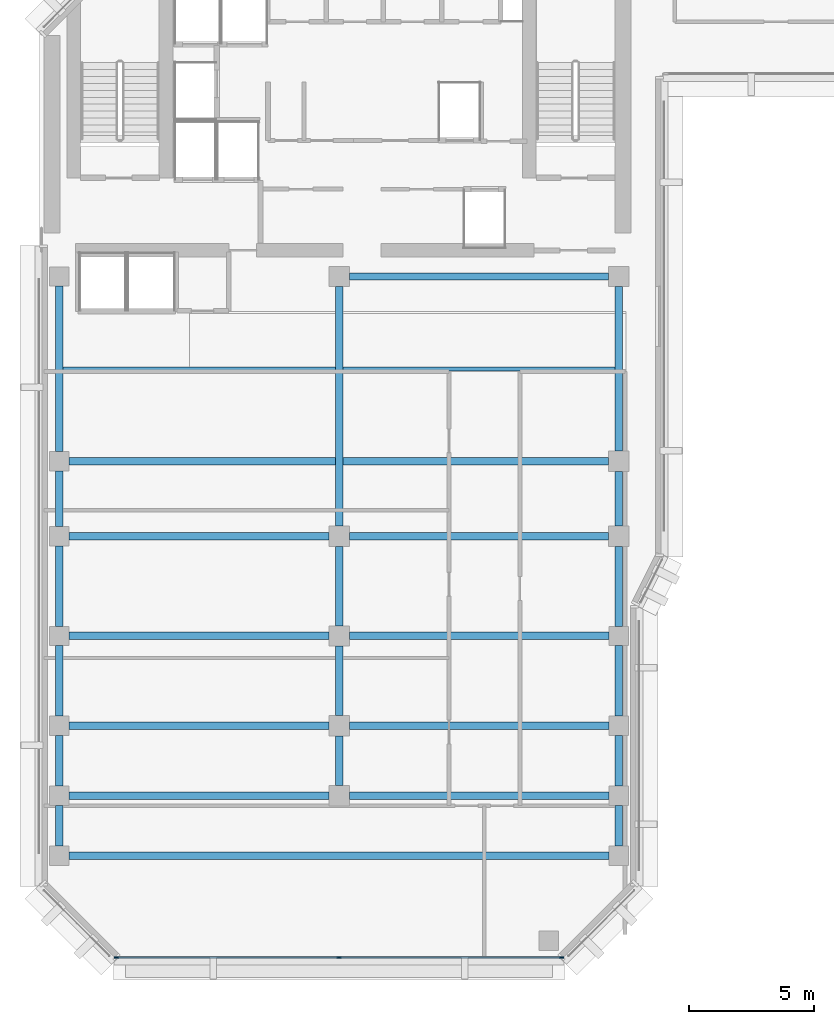
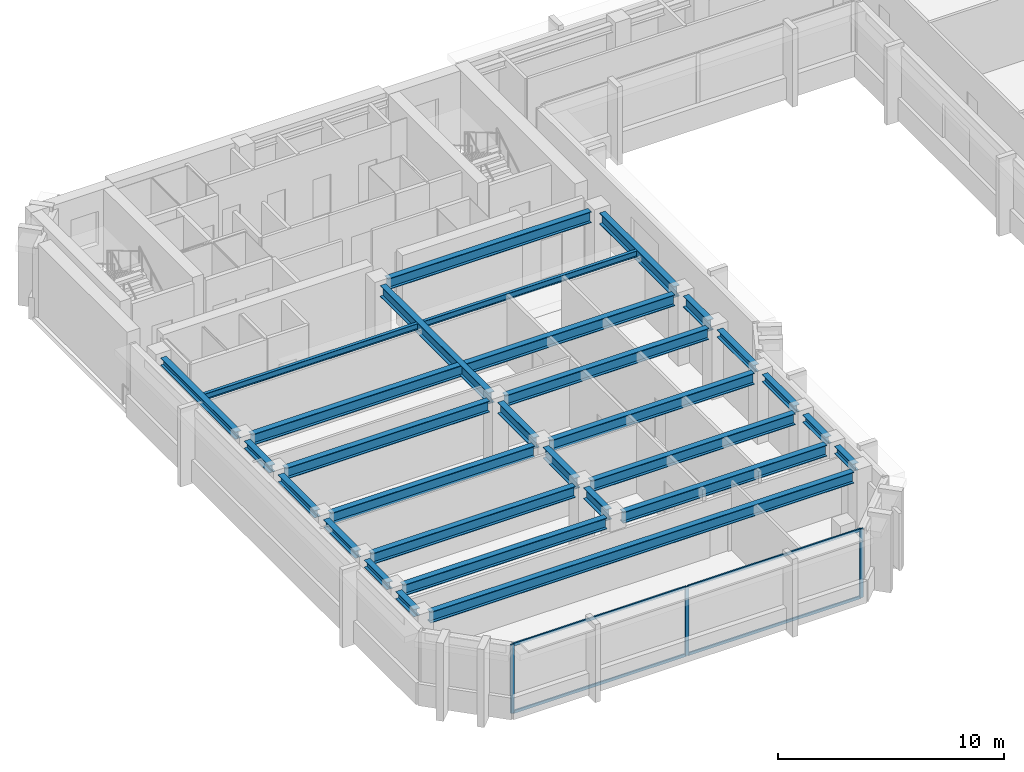
# One storey, part 2 of 11: 29 beams, 7 members, 1 element without a shape of its own.
"""IFC4 building model written with IfcOpenShell, lengths in metres."""

from ifc_helpers import new_model, si_unit, direction, frame, origin, origin_2d, place, context, subcontext, project, spatial, rectangle, i_section, extrude, material, layer, layer_set, material_profile, profile_set, type_object, element, aggregate, save


model = new_model("IFC4")

# Units and contexts
model_context = context("Model", 3, precision=1e-05, world=origin(), true_north=direction((0.0, 1.0)))
body_context = subcontext(model_context, "Body", "Model", "MODEL_VIEW")
ifc_project = project(units=[si_unit("LENGTHUNIT", "METRE"), si_unit("AREAUNIT", "SQUARE_METRE"), si_unit("VOLUMEUNIT", "CUBIC_METRE"), si_unit("PLANEANGLEUNIT", "RADIAN"), si_unit("MASSUNIT", "GRAM", prefix="KILO")], contexts=[model_context])

# Site, building, storey
site_placement = place(None, origin())
site = spatial("IfcSite", under=ifc_project, at=site_placement, CompositionType="ELEMENT")
building_placement = place(site_placement, origin())
building = spatial("IfcBuilding", under=site, at=building_placement, Name="Kefirva Bronze Tower", CompositionType="ELEMENT")
storey_placement = place(building_placement, frame((0.0, 0.0, 227.699951171875)))
storey = spatial("IfcBuildingStorey", under=building, at=storey_placement, Name="L55", CompositionType="ELEMENT", Elevation=227.699951171875)

# Curtain wall, members
ifc_material_1 = material(Name="Bronze anodised aluminium", Category="aluminium")
ifc_layer = layer(ifc_material_1, 0.179931640625, Name="Bronze anodised aluminium")
ifc_layer_set = layer_set([ifc_layer], Name="Bronze anodised aluminium")
curtain_wall_type = type_object("IfcCurtainWallType", Name="Unitised Bronze Ribbon Curtain Wall Zone 3", PredefinedType="USERDEFINED", material=ifc_layer_set)
curtain_wall_placement = place(storey_placement, origin())
curtain_wall = element("IfcCurtainWall", 1, at=curtain_wall_placement, inside=storey, type_object=curtain_wall_type, Name="L55 Curtain Wall 1", ObjectType="UNITISED CURTAIN WALL", PredefinedType="USERDEFINED")
ifc_material_profile_1 = material_profile(ifc_material_1, rectangle(XDim=0.074951171875, YDim=0.179931640625, at=origin_2d()), Name="ALU 75x180")
ifc_profile_set_1 = profile_set([ifc_material_profile_1], Name="Bronze anodised aluminium")
member_type_1 = type_object("IfcMemberType", Name="Bronze Mullion 75x180", PredefinedType="MULLION", material=ifc_profile_set_1)
member_1_placement = place(storey_placement, frame((3.092529296875, 5.919921875, 0.0), z_axis=(0.0, 0.0, 1.0), x_axis=(0.0, 1.0, 0.0)))
member_1 = element("IfcMember", 2, at=member_1_placement, type_object=member_type_1, Name="CW-03 mullion 1", PredefinedType="MULLION", context=body_context, shape_type="SweptSolid", body=[
    extrude(rectangle(XDim=0.074951171875, YDim=0.179931640625, at=origin_2d()), origin(), (0.0, 0.0, 1.0), 3.7099609375),
])
member_2_placement = place(storey_placement, frame((12.0, 5.919921875, 0.0), z_axis=(0.0, 0.0, 1.0), x_axis=(0.0, 1.0, 0.0)))
member_2 = element("IfcMember", 3, at=member_2_placement, type_object=member_type_1, Name="CW-03 mullion 2", PredefinedType="MULLION", context=body_context, shape_type="SweptSolid", body=[
    extrude(rectangle(XDim=0.074951171875, YDim=0.179931640625, at=origin_2d()), origin(), (0.0, 0.0, 1.0), 3.7099609375),
])
member_3_placement = place(storey_placement, frame((20.907470703125, 5.919921875, 0.0), z_axis=(0.0, 0.0, 1.0), x_axis=(0.0, 1.0, 0.0)))
member_3 = element("IfcMember", 4, at=member_3_placement, type_object=member_type_1, Name="CW-03 mullion 3", PredefinedType="MULLION", context=body_context, shape_type="SweptSolid", body=[
    extrude(rectangle(XDim=0.074951171875, YDim=0.179931640625, at=origin_2d()), origin(), (0.0, 0.0, 1.0), 3.7099609375),
])
ifc_material_profile_2 = material_profile(ifc_material_1, rectangle(XDim=0.074951171875, YDim=0.14990234375, at=origin_2d()), Name="ALU 75x150")
ifc_profile_set_2 = profile_set([ifc_material_profile_2], Name="Bronze anodised aluminium")
member_type_2 = type_object("IfcMemberType", Name="Bronze Transom 75x150", PredefinedType="USERDEFINED", material=ifc_profile_set_2)
member_4_placement = place(storey_placement, frame((3.1298828125, 5.919921875, 0.03759765625), z_axis=(1.0, 0.0, 0.0), x_axis=(0.0, 1.0, 0.0)))
member_4 = element("IfcMember", 5, at=member_4_placement, type_object=member_type_2, Name="CW-03 transom 1.1", ObjectType="TRANSOM", PredefinedType="USERDEFINED", context=body_context, shape_type="SweptSolid", body=[
    extrude(rectangle(XDim=0.074951171875, YDim=0.14990234375, at=origin_2d()), origin(), (0.0, 0.0, 1.0), 8.83251953125),
])
member_5_placement = place(storey_placement, frame((3.1298828125, 5.919921875, 3.672607421875), z_axis=(1.0, 0.0, 0.0), x_axis=(0.0, 1.0, 0.0)))
member_5 = element("IfcMember", 6, at=member_5_placement, type_object=member_type_2, Name="CW-03 transom 1.2", ObjectType="TRANSOM", PredefinedType="USERDEFINED", context=body_context, shape_type="SweptSolid", body=[
    extrude(rectangle(XDim=0.074951171875, YDim=0.14990234375, at=origin_2d()), origin(), (0.0, 0.0, 1.0), 8.83251953125),
])
member_6_placement = place(storey_placement, frame((12.03759765625, 5.919921875, 0.03759765625), z_axis=(1.0, 0.0, 0.0), x_axis=(0.0, 1.0, 0.0)))
member_6 = element("IfcMember", 7, at=member_6_placement, type_object=member_type_2, Name="CW-03 transom 2.1", ObjectType="TRANSOM", PredefinedType="USERDEFINED", context=body_context, shape_type="SweptSolid", body=[
    extrude(rectangle(XDim=0.074951171875, YDim=0.14990234375, at=origin_2d()), origin(), (0.0, 0.0, 1.0), 8.83251953125),
])
member_7_placement = place(storey_placement, frame((12.03759765625, 5.919921875, 3.672607421875), z_axis=(1.0, 0.0, 0.0), x_axis=(0.0, 1.0, 0.0)))
member_7 = element("IfcMember", 8, at=member_7_placement, type_object=member_type_2, Name="CW-03 transom 2.2", ObjectType="TRANSOM", PredefinedType="USERDEFINED", context=body_context, shape_type="SweptSolid", body=[
    extrude(rectangle(XDim=0.074951171875, YDim=0.14990234375, at=origin_2d()), origin(), (0.0, 0.0, 1.0), 8.83251953125),
])
aggregate(curtain_wall, [member_1, member_2, member_3, member_4, member_5, member_6, member_7])

# Beams
ifc_material_2 = material(Name="Steel S355", Category="steel")
ifc_material_profile_3 = material_profile(ifc_material_2, i_section(OverallWidth=0.159912109375, OverallDepth=0.330078125, WebThickness=0.007568359375, FlangeThickness=0.011474609375, at=origin_2d()), Name="IPE 330")
ifc_profile_set_3 = profile_set([ifc_material_profile_3], Name="Steel S355")
beam_type_1 = type_object("IfcBeamType", Name="Steel Floor Joist IPE 330", PredefinedType="JOIST", material=ifc_profile_set_3)
for number, where, z_axis, x_axis, name in (
    (9, (0.949951171875, 29.489990234375, 3.545166015625), (1.0, 0.0, 0.0), (0.0, 1.0, 0.0), "L55 JST-L55-0-294"),
    (10, (12.14990234375, 29.5, 3.545166015625), (1.0, 0.0, 0.0), (0.0, 1.0, 0.0), "L55 JST-L55-12-295"),
):
    element("IfcBeam", number, at=place(storey_placement, frame(where, z_axis=z_axis, x_axis=x_axis)), inside=storey, type_object=beam_type_1, Name=name, PredefinedType="JOIST", context=body_context, shape_type="SweptSolid", body=[
        extrude(i_section(OverallWidth=0.159912109375, OverallDepth=0.330078125, WebThickness=0.007568359375, FlangeThickness=0.011474609375, at=origin_2d()), origin(), (0.0, 0.0, 1.0), 10.900146484375),
    ])
ifc_material_profile_4 = material_profile(ifc_material_2, i_section(OverallWidth=0.300048828125, OverallDepth=0.60009765625, WebThickness=0.015380859375, FlangeThickness=0.030029296875, at=origin_2d()), Name="HEB 600")
ifc_profile_set_4 = profile_set([ifc_material_profile_4], Name="Steel S355")
beam_type_2 = type_object("IfcBeamType", Name="Steel Girder HEB 600", PredefinedType="USERDEFINED", material=ifc_profile_set_4)
beam_1_placement = place(storey_placement, frame((1.18994140625, 10.0, 3.41015625), z_axis=(1.0, 0.0, 0.0), x_axis=(0.0, 1.0, 0.0)))
element("IfcBeam", 11, at=beam_1_placement, inside=storey, type_object=beam_type_2, Name="L55 BM-L55-EW-0-100", ObjectType="GIRDER", PredefinedType="USERDEFINED", context=body_context, shape_type="SweptSolid", body=[
    extrude(i_section(OverallWidth=0.300048828125, OverallDepth=0.60009765625, WebThickness=0.015380859375, FlangeThickness=0.030029296875, at=origin_2d()), origin(), (0.0, 0.0, 1.0), 21.6201171875),
])
for number, where, z_axis, x_axis, name in (
    (12, (1.18994140625, 12.39990234375, 3.41015625), (1.0, 0.0, 0.0), (0.0, 1.0, 0.0), "L55 BM-L55-EW-0-124"),
    (13, (12.409912109375, 12.39990234375, 3.41015625), (1.0, 0.0, 0.0), (0.0, 1.0, 0.0), "L55 BM-L55-EW-12-124"),
    (14, (1.18994140625, 15.199951171875, 3.41015625), (1.0, 0.0, 0.0), (0.0, 1.0, 0.0), "L55 BM-L55-EW-0-152"),
    (15, (12.409912109375, 15.199951171875, 3.41015625), (1.0, 0.0, 0.0), (0.0, 1.0, 0.0), "L55 BM-L55-EW-12-152"),
    (16, (1.18994140625, 18.800048828125, 3.41015625), (1.0, 0.0, 0.0), (0.0, 1.0, 0.0), "L55 BM-L55-EW-0-188"),
    (17, (12.409912109375, 18.800048828125, 3.41015625), (1.0, 0.0, 0.0), (0.0, 1.0, 0.0), "L55 BM-L55-EW-12-188"),
    (18, (1.18994140625, 22.800048828125, 3.41015625), (1.0, 0.0, 0.0), (0.0, 1.0, 0.0), "L55 BM-L55-EW-0-228"),
):
    element("IfcBeam", number, at=place(storey_placement, frame(where, z_axis=z_axis, x_axis=x_axis)), inside=storey, type_object=beam_type_2, Name=name, ObjectType="GIRDER", PredefinedType="USERDEFINED", context=body_context, shape_type="SweptSolid", body=[
        extrude(i_section(OverallWidth=0.300048828125, OverallDepth=0.60009765625, WebThickness=0.015380859375, FlangeThickness=0.030029296875, at=origin_2d()), origin(), (0.0, 0.0, 1.0), 10.400146484375),
    ])
beam_2_placement = place(storey_placement, frame((12.409912109375, 22.800048828125, 3.41015625), z_axis=(1.0, 0.0, 0.0), x_axis=(0.0, 1.0, 0.0)))
element("IfcBeam", 19, at=beam_2_placement, inside=storey, type_object=beam_type_2, Name="L55 BM-L55-EW-12-228", ObjectType="GIRDER", PredefinedType="USERDEFINED", context=body_context, shape_type="SweptSolid", body=[
    extrude(i_section(OverallWidth=0.300048828125, OverallDepth=0.60009765625, WebThickness=0.015380859375, FlangeThickness=0.030029296875, at=origin_2d()), origin(), (0.0, 0.0, 1.0), 10.380126953125),
])
beam_3_placement = place(storey_placement, frame((1.18994140625, 25.800048828125, 3.41015625), z_axis=(1.0, 0.0, 0.0), x_axis=(0.0, 1.0, 0.0)))
element("IfcBeam", 20, at=beam_3_placement, inside=storey, type_object=beam_type_2, Name="L55 BM-L55-EW-0-258", ObjectType="GIRDER", PredefinedType="USERDEFINED", context=body_context, shape_type="SweptSolid", body=[
    extrude(i_section(OverallWidth=0.300048828125, OverallDepth=0.60009765625, WebThickness=0.015380859375, FlangeThickness=0.030029296875, at=origin_2d()), origin(), (0.0, 0.0, 1.0), 21.60009765625),
])
beam_4_placement = place(storey_placement, frame((12.409912109375, 33.199951171875, 3.41015625), z_axis=(1.0, 0.0, 0.0), x_axis=(0.0, 1.0, 0.0)))
element("IfcBeam", 21, at=beam_4_placement, inside=storey, type_object=beam_type_2, Name="L55 BM-L55-EW-12-332", ObjectType="GIRDER", PredefinedType="USERDEFINED", context=body_context, shape_type="SweptSolid", body=[
    extrude(i_section(OverallWidth=0.300048828125, OverallDepth=0.60009765625, WebThickness=0.015380859375, FlangeThickness=0.030029296875, at=origin_2d()), origin(), (0.0, 0.0, 1.0), 10.380126953125),
])
beam_5_placement = place(storey_placement, frame((12.0, 12.81005859375, 3.41015625), z_axis=(0.0, 1.0, 0.0), x_axis=(-1.0, 0.0, 0.0)))
element("IfcBeam", 22, at=beam_5_placement, inside=storey, type_object=beam_type_2, Name="L55 BM-L55-NS-120-12", ObjectType="GIRDER", PredefinedType="USERDEFINED", context=body_context, shape_type="SweptSolid", body=[
    extrude(i_section(OverallWidth=0.300048828125, OverallDepth=0.60009765625, WebThickness=0.015380859375, FlangeThickness=0.030029296875, at=origin_2d()), origin(), (0.0, 0.0, 1.0), 1.97998046875),
])
beam_6_placement = place(storey_placement, frame((12.0, 15.610107421875, 3.41015625), z_axis=(0.0, 1.0, 0.0), x_axis=(-1.0, 0.0, 0.0)))
element("IfcBeam", 23, at=beam_6_placement, inside=storey, type_object=beam_type_2, Name="L55 BM-L55-NS-120-15", ObjectType="GIRDER", PredefinedType="USERDEFINED", context=body_context, shape_type="SweptSolid", body=[
    extrude(i_section(OverallWidth=0.300048828125, OverallDepth=0.60009765625, WebThickness=0.015380859375, FlangeThickness=0.030029296875, at=origin_2d()), origin(), (0.0, 0.0, 1.0), 2.77978515625),
])
beam_7_placement = place(storey_placement, frame((12.0, 19.2099609375, 3.41015625), z_axis=(0.0, 1.0, 0.0), x_axis=(-1.0, 0.0, 0.0)))
element("IfcBeam", 24, at=beam_7_placement, inside=storey, type_object=beam_type_2, Name="L55 BM-L55-NS-120-18", ObjectType="GIRDER", PredefinedType="USERDEFINED", context=body_context, shape_type="SweptSolid", body=[
    extrude(i_section(OverallWidth=0.300048828125, OverallDepth=0.60009765625, WebThickness=0.015380859375, FlangeThickness=0.030029296875, at=origin_2d()), origin(), (0.0, 0.0, 1.0), 3.179931640625),
])
beam_8_placement = place(storey_placement, frame((12.0, 23.2099609375, 3.41015625), z_axis=(0.0, 1.0, 0.0), x_axis=(-1.0, 0.0, 0.0)))
element("IfcBeam", 25, at=beam_8_placement, inside=storey, type_object=beam_type_2, Name="L55 BM-L55-NS-120-22", ObjectType="GIRDER", PredefinedType="USERDEFINED", context=body_context, shape_type="SweptSolid", body=[
    extrude(i_section(OverallWidth=0.300048828125, OverallDepth=0.60009765625, WebThickness=0.015380859375, FlangeThickness=0.030029296875, at=origin_2d()), origin(), (0.0, 0.0, 1.0), 9.580078125),
])
beam_9_placement = place(storey_placement, frame((23.199951171875, 23.2099609375, 3.41015625), z_axis=(0.0, 1.0, 0.0), x_axis=(-1.0, 0.0, 0.0)))
element("IfcBeam", 26, at=beam_9_placement, inside=storey, type_object=beam_type_2, Name="L55 BM-L55-NS-232-22", ObjectType="GIRDER", PredefinedType="USERDEFINED", context=body_context, shape_type="SweptSolid", body=[
    extrude(i_section(OverallWidth=0.300048828125, OverallDepth=0.60009765625, WebThickness=0.015380859375, FlangeThickness=0.030029296875, at=origin_2d()), origin(), (0.0, 0.0, 1.0), 2.179931640625),
])
beam_10_placement = place(storey_placement, frame((23.199951171875, 26.2099609375, 3.41015625), z_axis=(0.0, 1.0, 0.0), x_axis=(-1.0, 0.0, 0.0)))
element("IfcBeam", 27, at=beam_10_placement, inside=storey, type_object=beam_type_2, Name="L55 BM-L55-NS-232-25", ObjectType="GIRDER", PredefinedType="USERDEFINED", context=body_context, shape_type="SweptSolid", body=[
    extrude(i_section(OverallWidth=0.300048828125, OverallDepth=0.60009765625, WebThickness=0.015380859375, FlangeThickness=0.030029296875, at=origin_2d()), origin(), (0.0, 0.0, 1.0), 6.580078125),
])
ifc_material_profile_5 = material_profile(ifc_material_2, i_section(OverallWidth=0.300048828125, OverallDepth=0.39990234375, WebThickness=0.013427734375, FlangeThickness=0.02392578125, at=origin_2d()), Name="HEB 400")
ifc_profile_set_5 = profile_set([ifc_material_profile_5], Name="Steel S355")
beam_type_3 = type_object("IfcBeamType", Name="Steel Spandrel HEB 400 Ext", PredefinedType="SPANDREL", material=ifc_profile_set_5)
beam_11_placement = place(storey_placement, frame((0.800048828125, 10.389892578125, 3.510009765625), z_axis=(0.0, 1.0, 0.0), x_axis=(-1.0, 0.0, 0.0)))
element("IfcBeam", 28, at=beam_11_placement, inside=storey, type_object=beam_type_3, Name="L55 BM-L55-NS-8-10", PredefinedType="SPANDREL", context=body_context, shape_type="SweptSolid", body=[
    extrude(i_section(OverallWidth=0.300048828125, OverallDepth=0.39990234375, WebThickness=0.013427734375, FlangeThickness=0.02392578125, at=origin_2d()), origin(), (0.0, 0.0, 1.0), 1.6201171875),
])
beam_12_placement = place(storey_placement, frame((0.800048828125, 12.7900390625, 3.510009765625), z_axis=(0.0, 1.0, 0.0), x_axis=(-1.0, 0.0, 0.0)))
element("IfcBeam", 29, at=beam_12_placement, inside=storey, type_object=beam_type_3, Name="L55 BM-L55-NS-8-12", PredefinedType="SPANDREL", context=body_context, shape_type="SweptSolid", body=[
    extrude(i_section(OverallWidth=0.300048828125, OverallDepth=0.39990234375, WebThickness=0.013427734375, FlangeThickness=0.02392578125, at=origin_2d()), origin(), (0.0, 0.0, 1.0), 2.02001953125),
])
beam_13_placement = place(storey_placement, frame((0.800048828125, 15.590087890625, 3.510009765625), z_axis=(0.0, 1.0, 0.0), x_axis=(-1.0, 0.0, 0.0)))
element("IfcBeam", 30, at=beam_13_placement, inside=storey, type_object=beam_type_3, Name="L55 BM-L55-NS-8-15", PredefinedType="SPANDREL", context=body_context, shape_type="SweptSolid", body=[
    extrude(i_section(OverallWidth=0.300048828125, OverallDepth=0.39990234375, WebThickness=0.013427734375, FlangeThickness=0.02392578125, at=origin_2d()), origin(), (0.0, 0.0, 1.0), 2.81982421875),
])
beam_14_placement = place(storey_placement, frame((0.800048828125, 19.18994140625, 3.510009765625), z_axis=(0.0, 1.0, 0.0), x_axis=(-1.0, 0.0, 0.0)))
element("IfcBeam", 31, at=beam_14_placement, inside=storey, type_object=beam_type_3, Name="L55 BM-L55-NS-8-18", PredefinedType="SPANDREL", context=body_context, shape_type="SweptSolid", body=[
    extrude(i_section(OverallWidth=0.300048828125, OverallDepth=0.39990234375, WebThickness=0.013427734375, FlangeThickness=0.02392578125, at=origin_2d()), origin(), (0.0, 0.0, 1.0), 3.219970703125),
])
beam_15_placement = place(storey_placement, frame((0.800048828125, 23.18994140625, 3.510009765625), z_axis=(0.0, 1.0, 0.0), x_axis=(-1.0, 0.0, 0.0)))
element("IfcBeam", 32, at=beam_15_placement, inside=storey, type_object=beam_type_3, Name="L55 BM-L55-NS-8-22", PredefinedType="SPANDREL", context=body_context, shape_type="SweptSolid", body=[
    extrude(i_section(OverallWidth=0.300048828125, OverallDepth=0.39990234375, WebThickness=0.013427734375, FlangeThickness=0.02392578125, at=origin_2d()), origin(), (0.0, 0.0, 1.0), 2.219970703125),
])
beam_16_placement = place(storey_placement, frame((0.800048828125, 26.18994140625, 3.510009765625), z_axis=(0.0, 1.0, 0.0), x_axis=(-1.0, 0.0, 0.0)))
element("IfcBeam", 33, at=beam_16_placement, inside=storey, type_object=beam_type_3, Name="L55 BM-L55-NS-8-25", PredefinedType="SPANDREL", context=body_context, shape_type="SweptSolid", body=[
    extrude(i_section(OverallWidth=0.300048828125, OverallDepth=0.39990234375, WebThickness=0.013427734375, FlangeThickness=0.02392578125, at=origin_2d()), origin(), (0.0, 0.0, 1.0), 6.6201171875),
])
beam_17_placement = place(storey_placement, frame((23.199951171875, 10.389892578125, 3.510009765625), z_axis=(0.0, 1.0, 0.0), x_axis=(-1.0, 0.0, 0.0)))
element("IfcBeam", 34, at=beam_17_placement, inside=storey, type_object=beam_type_3, Name="L55 BM-L55-NS-232-10", PredefinedType="SPANDREL", context=body_context, shape_type="SweptSolid", body=[
    extrude(i_section(OverallWidth=0.300048828125, OverallDepth=0.39990234375, WebThickness=0.013427734375, FlangeThickness=0.02392578125, at=origin_2d()), origin(), (0.0, 0.0, 1.0), 1.6201171875),
])
beam_18_placement = place(storey_placement, frame((23.199951171875, 12.7900390625, 3.510009765625), z_axis=(0.0, 1.0, 0.0), x_axis=(-1.0, 0.0, 0.0)))
element("IfcBeam", 35, at=beam_18_placement, inside=storey, type_object=beam_type_3, Name="L55 BM-L55-NS-232-12", PredefinedType="SPANDREL", context=body_context, shape_type="SweptSolid", body=[
    extrude(i_section(OverallWidth=0.300048828125, OverallDepth=0.39990234375, WebThickness=0.013427734375, FlangeThickness=0.02392578125, at=origin_2d()), origin(), (0.0, 0.0, 1.0), 2.02001953125),
])
beam_19_placement = place(storey_placement, frame((23.199951171875, 15.590087890625, 3.510009765625), z_axis=(0.0, 1.0, 0.0), x_axis=(-1.0, 0.0, 0.0)))
element("IfcBeam", 36, at=beam_19_placement, inside=storey, type_object=beam_type_3, Name="L55 BM-L55-NS-232-15", PredefinedType="SPANDREL", context=body_context, shape_type="SweptSolid", body=[
    extrude(i_section(OverallWidth=0.300048828125, OverallDepth=0.39990234375, WebThickness=0.013427734375, FlangeThickness=0.02392578125, at=origin_2d()), origin(), (0.0, 0.0, 1.0), 2.81982421875),
])
beam_20_placement = place(storey_placement, frame((23.199951171875, 19.18994140625, 3.510009765625), z_axis=(0.0, 1.0, 0.0), x_axis=(-1.0, 0.0, 0.0)))
element("IfcBeam", 37, at=beam_20_placement, inside=storey, type_object=beam_type_3, Name="L55 BM-L55-NS-232-18", PredefinedType="SPANDREL", context=body_context, shape_type="SweptSolid", body=[
    extrude(i_section(OverallWidth=0.300048828125, OverallDepth=0.39990234375, WebThickness=0.013427734375, FlangeThickness=0.02392578125, at=origin_2d()), origin(), (0.0, 0.0, 1.0), 3.199951171875),
])

save(model, "model.ifc")
